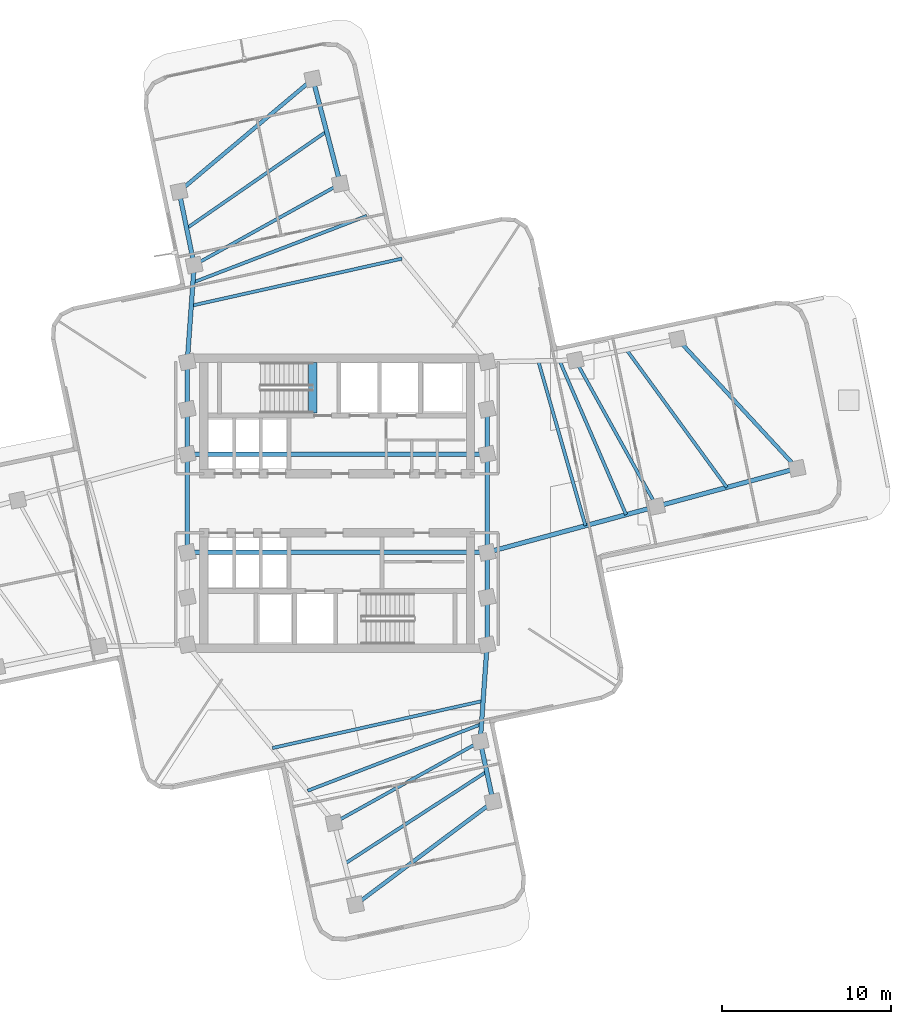
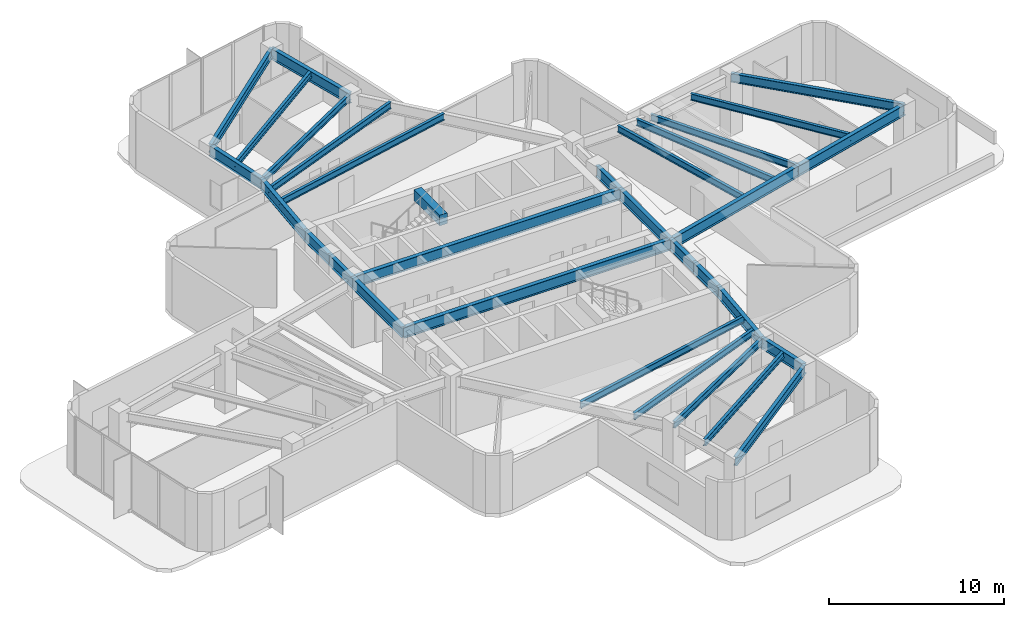
# One storey, part 3 of 12: 32 beams.
"""IFC4 building model written with IfcOpenShell, lengths in metres."""

from ifc_helpers import new_model, si_unit, direction, frame, origin, origin_2d, place, context, subcontext, project, spatial, rectangle, i_section, extrude, material, material_profile, profile_set, type_object, element, save


model = new_model("IFC4")

# Units and contexts
model_context = context("Model", 3, precision=1e-05, world=origin(), true_north=direction((0.0, 1.0)))
body_context = subcontext(model_context, "Body", "Model", "MODEL_VIEW")
ifc_project = project(units=[si_unit("LENGTHUNIT", "METRE"), si_unit("AREAUNIT", "SQUARE_METRE"), si_unit("VOLUMEUNIT", "CUBIC_METRE"), si_unit("PLANEANGLEUNIT", "RADIAN"), si_unit("MASSUNIT", "GRAM", prefix="KILO")], contexts=[model_context])

# Site, building, storey
site_placement = place(None, origin())
site = spatial("IfcSite", under=ifc_project, at=site_placement, CompositionType="ELEMENT")
building_placement = place(site_placement, origin())
building = spatial("IfcBuilding", under=site, at=building_placement, Name="Solmarez Civic Tower", CompositionType="ELEMENT")
storey_placement = place(building_placement, frame((0.0, 0.0, 111.9599609375)))
storey = spatial("IfcBuildingStorey", under=building, at=storey_placement, Name="L29", CompositionType="ELEMENT", Elevation=111.9599609375)

# Beams
ifc_material_1 = material(Name="Steel S355", Category="steel")
ifc_material_profile_1 = material_profile(ifc_material_1, i_section(OverallWidth=0.19189453125, OverallDepth=0.462890625, WebThickness=0.010498046875, FlangeThickness=0.017578125, at=origin_2d()), Name="W18X60")
ifc_profile_set_1 = profile_set([ifc_material_profile_1], Name="Steel S355")
beam_type_1 = type_object("IfcBeamType", Name="BM-JS-W18X60", PredefinedType="JOIST", material=ifc_profile_set_1)
beam_1_placement = place(storey_placement, frame((18.860107421875, -0.18310546875, 3.828125), z_axis=(-0.485852902718, 0.874040592261, 0.0), x_axis=(-0.874040592261, -0.485852902718, 0.0)))
element("IfcBeam", 1, at=beam_1_placement, inside=storey, type_object=beam_type_1, Name="L29 Secondary Floor Joist BM-L29-EA-T1", PredefinedType="JOIST", context=body_context, shape_type="SweptSolid", body=[
    extrude(i_section(OverallWidth=0.19189453125, OverallDepth=0.462890625, WebThickness=0.010498046875, FlangeThickness=0.017578125, at=origin_2d()), origin(), (0.0, 0.0, 1.0), 9.87158203125),
])
beam_2_placement = place(storey_placement, frame((23.006103515625, 0.94091796875, 3.828125), z_axis=(-0.589058914091, 0.808090091345, 0.0), x_axis=(-0.808090091345, -0.589058914091, 0.0)))
element("IfcBeam", 2, at=beam_2_placement, inside=storey, type_object=beam_type_1, Name="L29 Secondary Floor Joist JS-L29-EA-M2", PredefinedType="JOIST", context=body_context, shape_type="SweptSolid", body=[
    extrude(i_section(OverallWidth=0.19189453125, OverallDepth=0.462890625, WebThickness=0.010498046875, FlangeThickness=0.017578125, at=origin_2d()), origin(), (0.0, 0.0, 1.0), 10.05859375),
])
beam_3_placement = place(storey_placement, frame((14.656005859375, -1.323974609375, 3.828125), z_axis=(-0.27492825036, 0.961464745664, 0.0), x_axis=(-0.961464745664, -0.27492825036, 0.0)))
element("IfcBeam", 3, at=beam_3_placement, inside=storey, type_object=beam_type_1, Name="L29 Secondary Floor Joist JS-L29-EA-M11", PredefinedType="JOIST", context=body_context, shape_type="SweptSolid", body=[
    extrude(i_section(OverallWidth=0.19189453125, OverallDepth=0.462890625, WebThickness=0.010498046875, FlangeThickness=0.017578125, at=origin_2d()), origin(), (0.0, 0.0, 1.0), 10.118896484375),
])
beam_4_placement = place(storey_placement, frame((17.05810546875, -0.672119140625, 3.828125), z_axis=(-0.396735074316, 0.917933157048, 0.0), x_axis=(-0.917933157048, -0.396735074316, 0.0)))
element("IfcBeam", 4, at=beam_4_placement, inside=storey, type_object=beam_type_1, Name="L29 Secondary Floor Joist JS-L29-EA-M12", PredefinedType="JOIST", context=body_context, shape_type="SweptSolid", body=[
    extrude(i_section(OverallWidth=0.19189453125, OverallDepth=0.462890625, WebThickness=0.010498046875, FlangeThickness=0.017578125, at=origin_2d()), origin(), (0.0, 0.0, 1.0), 9.91357421875),
])
beam_5_placement = place(storey_placement, frame((0.18310546875, 18.860107421875, 3.828125), z_axis=(-0.874040592261, -0.485852902718, 0.0), x_axis=(0.485852902718, -0.874040592261, 0.0)))
element("IfcBeam", 5, at=beam_5_placement, inside=storey, type_object=beam_type_1, Name="L29 Secondary Floor Joist BM-L29-NA-T1", PredefinedType="JOIST", context=body_context, shape_type="SweptSolid", body=[
    extrude(i_section(OverallWidth=0.19189453125, OverallDepth=0.462890625, WebThickness=0.010498046875, FlangeThickness=0.017578125, at=origin_2d()), origin(), (0.0, 0.0, 1.0), 9.87158203125),
])
beam_6_placement = place(storey_placement, frame((-0.626953125, 21.9560546875, 3.828125), z_axis=(-0.822185194468, -0.56922008573, 0.0), x_axis=(0.56922008573, -0.822185194468, 0.0)))
element("IfcBeam", 6, at=beam_6_placement, inside=storey, type_object=beam_type_1, Name="L29 Secondary Floor Joist JS-L29-NA-M2", PredefinedType="JOIST", context=body_context, shape_type="SweptSolid", body=[
    extrude(i_section(OverallWidth=0.19189453125, OverallDepth=0.462890625, WebThickness=0.010498046875, FlangeThickness=0.017578125, at=origin_2d()), origin(), (0.0, 0.0, 1.0), 10.048828125),
])
beam_7_placement = place(storey_placement, frame((3.822998046875, 14.446044921875, 3.828125), z_axis=(-0.975887310906, -0.218274955988, 0.0), x_axis=(0.218274955988, -0.975887310906, 0.0)))
element("IfcBeam", 7, at=beam_7_placement, inside=storey, type_object=beam_type_1, Name="L29 Secondary Floor Joist JS-L29-NA-M11", PredefinedType="JOIST", context=body_context, shape_type="SweptSolid", body=[
    extrude(i_section(OverallWidth=0.19189453125, OverallDepth=0.462890625, WebThickness=0.010498046875, FlangeThickness=0.017578125, at=origin_2d()), origin(), (0.0, 0.0, 1.0), 12.745361328125),
])
beam_8_placement = place(storey_placement, frame((1.742919921875, 16.968017578125, 3.828125), z_axis=(-0.933754408709, -0.357914381125, 0.0), x_axis=(0.357914381125, -0.933754408709, 0.0)))
element("IfcBeam", 8, at=beam_8_placement, inside=storey, type_object=beam_type_1, Name="L29 Secondary Floor Joist JS-L29-NA-M12", PredefinedType="JOIST", context=body_context, shape_type="SweptSolid", body=[
    extrude(i_section(OverallWidth=0.19189453125, OverallDepth=0.462890625, WebThickness=0.010498046875, FlangeThickness=0.017578125, at=origin_2d()), origin(), (0.0, 0.0, 1.0), 10.989013671875),
])
beam_9_placement = place(storey_placement, frame((-0.18310546875, -18.860107421875, 3.828125), z_axis=(0.874040592261, 0.485852902718, 0.0), x_axis=(-0.485852902718, 0.874040592261, 0.0)))
element("IfcBeam", 9, at=beam_9_placement, inside=storey, type_object=beam_type_1, Name="L29 Secondary Floor Joist BM-L29-SA-T1", PredefinedType="JOIST", context=body_context, shape_type="SweptSolid", body=[
    extrude(i_section(OverallWidth=0.19189453125, OverallDepth=0.462890625, WebThickness=0.010498046875, FlangeThickness=0.017578125, at=origin_2d()), origin(), (0.0, 0.0, 1.0), 9.87158203125),
])
beam_10_placement = place(storey_placement, frame((0.449951171875, -21.279052734375, 3.828125), z_axis=(0.83864684805, 0.54467555871, 0.0), x_axis=(-0.54467555871, 0.83864684805, 0.0)))
element("IfcBeam", 10, at=beam_10_placement, inside=storey, type_object=beam_type_1, Name="L29 Secondary Floor Joist JS-L29-SA-M2", PredefinedType="JOIST", context=body_context, shape_type="SweptSolid", body=[
    extrude(i_section(OverallWidth=0.19189453125, OverallDepth=0.462890625, WebThickness=0.010498046875, FlangeThickness=0.017578125, at=origin_2d()), origin(), (0.0, 0.0, 1.0), 9.987548828125),
])
beam_11_placement = place(storey_placement, frame((-3.822998046875, -14.446044921875, 3.828125), z_axis=(0.975887310906, 0.218274955988, 0.0), x_axis=(-0.218274955988, 0.975887310906, 0.0)))
element("IfcBeam", 11, at=beam_11_placement, inside=storey, type_object=beam_type_1, Name="L29 Secondary Floor Joist JS-L29-SA-M11", PredefinedType="JOIST", context=body_context, shape_type="SweptSolid", body=[
    extrude(i_section(OverallWidth=0.19189453125, OverallDepth=0.462890625, WebThickness=0.010498046875, FlangeThickness=0.017578125, at=origin_2d()), origin(), (0.0, 0.0, 1.0), 12.745361328125),
])
beam_12_placement = place(storey_placement, frame((-1.742919921875, -16.968017578125, 3.828125), z_axis=(0.933754408709, 0.357914381125, 0.0), x_axis=(-0.357914381125, 0.933754408709, 0.0)))
element("IfcBeam", 12, at=beam_12_placement, inside=storey, type_object=beam_type_1, Name="L29 Secondary Floor Joist JS-L29-SA-M12", PredefinedType="JOIST", context=body_context, shape_type="SweptSolid", body=[
    extrude(i_section(OverallWidth=0.19189453125, OverallDepth=0.462890625, WebThickness=0.010498046875, FlangeThickness=0.017578125, at=origin_2d()), origin(), (0.0, 0.0, 1.0), 10.989013671875),
])
ifc_material_2 = material(Name="Concrete C50/60", Category="concrete")
ifc_material_profile_2 = material_profile(ifc_material_2, rectangle(XDim=0.5, YDim=0.75, at=origin_2d()), Name="RC500X750")
ifc_profile_set_2 = profile_set([ifc_material_profile_2], Name="Concrete C50/60")
beam_type_2 = type_object("IfcBeamType", Name="BM-PR-RC500X750", PredefinedType="BEAM", material=ifc_profile_set_2)
beam_13_placement = place(storey_placement, frame((-1.449951171875, 5.340087890625, 3.953125), z_axis=(0.0, 1.0, 0.0), x_axis=(-1.0, 0.0, 0.0)))
element("IfcBeam", 13, at=beam_13_placement, inside=storey, type_object=beam_type_2, Name="L29 North Stair Threshold Beam", PredefinedType="BEAM", context=body_context, shape_type="SweptSolid", body=[
    extrude(rectangle(XDim=0.5, YDim=0.75, at=origin_2d()), origin(), (0.0, 0.0, 1.0), 2.9599609375),
])
ifc_material_profile_3 = material_profile(ifc_material_1, i_section(OverallWidth=0.26708984375, OverallDepth=0.761962890625, WebThickness=0.014404296875, FlangeThickness=0.021484375, at=origin_2d()), Name="W30X116")
ifc_profile_set_3 = profile_set([ifc_material_profile_3], Name="Steel S355")
beam_type_3 = type_object("IfcBeamType", Name="BM-PR-W30X116", PredefinedType="BEAM", material=ifc_profile_set_3)
beam_14_placement = place(storey_placement, frame((-8.85009765625, -2.89990234375, 3.678955078125), z_axis=(0.0, 1.0, 0.0), x_axis=(-1.0, 0.0, 0.0)))
element("IfcBeam", 14, at=beam_14_placement, inside=storey, type_object=beam_type_3, Name="L29 Primary Floor Beam BM-L29-HC2-HC3", PredefinedType="BEAM", context=body_context, shape_type="SweptSolid", body=[
    extrude(i_section(OverallWidth=0.26708984375, OverallDepth=0.761962890625, WebThickness=0.014404296875, FlangeThickness=0.021484375, at=origin_2d()), origin(), (0.0, 0.0, 1.0), 5.7998046875),
])
beam_15_placement = place(storey_placement, frame((-8.85009765625, 2.89990234375, 3.678955078125), z_axis=(0.0, 1.0, 0.0), x_axis=(-1.0, 0.0, 0.0)))
element("IfcBeam", 15, at=beam_15_placement, inside=storey, type_object=beam_type_3, Name="L29 Primary Floor Beam BM-L29-HC3-HC4", PredefinedType="BEAM", context=body_context, shape_type="SweptSolid", body=[
    extrude(i_section(OverallWidth=0.26708984375, OverallDepth=0.761962890625, WebThickness=0.014404296875, FlangeThickness=0.021484375, at=origin_2d()), origin(), (0.0, 0.0, 1.0), 2.650146484375),
])
for number, where, z_axis, x_axis, name in (
    (16, (-8.85009765625, 5.550048828125, 3.678955078125), (0.0, 1.0, 0.0), (-1.0, 0.0, 0.0), "L29 Primary Floor Beam BM-L29-HC4-HC9"),
    (17, (8.85009765625, -8.35009765625, 3.678955078125), (0.0, 1.0, 0.0), (-1.0, 0.0, 0.0), "L29 Primary Floor Beam BM-L29-HC10-HC5"),
):
    element("IfcBeam", number, at=place(storey_placement, frame(where, z_axis=z_axis, x_axis=x_axis)), inside=storey, type_object=beam_type_3, Name=name, PredefinedType="BEAM", context=body_context, shape_type="SweptSolid", body=[
        extrude(i_section(OverallWidth=0.26708984375, OverallDepth=0.761962890625, WebThickness=0.014404296875, FlangeThickness=0.021484375, at=origin_2d()), origin(), (0.0, 0.0, 1.0), 2.800048828125),
    ])
beam_16_placement = place(storey_placement, frame((8.85009765625, -5.550048828125, 3.678955078125), z_axis=(0.0, 1.0, 0.0), x_axis=(-1.0, 0.0, 0.0)))
element("IfcBeam", 18, at=beam_16_placement, inside=storey, type_object=beam_type_3, Name="L29 Primary Floor Beam BM-L29-HC5-HC6", PredefinedType="BEAM", context=body_context, shape_type="SweptSolid", body=[
    extrude(i_section(OverallWidth=0.26708984375, OverallDepth=0.761962890625, WebThickness=0.014404296875, FlangeThickness=0.021484375, at=origin_2d()), origin(), (0.0, 0.0, 1.0), 2.650146484375),
])
beam_17_placement = place(storey_placement, frame((8.85009765625, -2.89990234375, 3.678955078125), z_axis=(0.0, 1.0, 0.0), x_axis=(-1.0, 0.0, 0.0)))
element("IfcBeam", 19, at=beam_17_placement, inside=storey, type_object=beam_type_3, Name="L29 Primary Floor Beam BM-L29-HC6-HC7", PredefinedType="BEAM", context=body_context, shape_type="SweptSolid", body=[
    extrude(i_section(OverallWidth=0.26708984375, OverallDepth=0.761962890625, WebThickness=0.014404296875, FlangeThickness=0.021484375, at=origin_2d()), origin(), (0.0, 0.0, 1.0), 5.7998046875),
])
beam_18_placement = place(storey_placement, frame((8.85009765625, 2.89990234375, 3.678955078125), z_axis=(0.0, 1.0, 0.0), x_axis=(-1.0, 0.0, 0.0)))
element("IfcBeam", 20, at=beam_18_placement, inside=storey, type_object=beam_type_3, Name="L29 Primary Floor Beam BM-L29-HC7-HC8", PredefinedType="BEAM", context=body_context, shape_type="SweptSolid", body=[
    extrude(i_section(OverallWidth=0.26708984375, OverallDepth=0.761962890625, WebThickness=0.014404296875, FlangeThickness=0.021484375, at=origin_2d()), origin(), (0.0, 0.0, 1.0), 2.650146484375),
])
for number, where, z_axis, x_axis, name in (
    (21, (-8.85009765625, -2.89990234375, 3.678955078125), (1.0, 0.0, 0.0), (0.0, 1.0, 0.0), "L29 Primary Floor Beam BM-L29-HC2-HC6"),
    (22, (-8.85009765625, 2.89990234375, 3.678955078125), (1.0, 0.0, 0.0), (0.0, 1.0, 0.0), "L29 Primary Floor Beam BM-L29-HC3-HC7"),
):
    element("IfcBeam", number, at=place(storey_placement, frame(where, z_axis=z_axis, x_axis=x_axis)), inside=storey, type_object=beam_type_3, Name=name, PredefinedType="BEAM", context=body_context, shape_type="SweptSolid", body=[
        extrude(i_section(OverallWidth=0.26708984375, OverallDepth=0.761962890625, WebThickness=0.014404296875, FlangeThickness=0.021484375, at=origin_2d()), origin(), (0.0, 0.0, 1.0), 17.7001953125),
    ])
beam_19_placement = place(storey_placement, frame((8.85009765625, -2.89990234375, 3.678955078125), z_axis=(0.965086289853, 0.261932153691, 0.0), x_axis=(-0.261932153691, 0.965086289853, 0.0)))
element("IfcBeam", 23, at=beam_19_placement, inside=storey, type_object=beam_type_3, Name="L29 Primary Floor Beam BM-L29-EA-R1A", PredefinedType="BEAM", context=body_context, shape_type="SweptSolid", body=[
    extrude(i_section(OverallWidth=0.26708984375, OverallDepth=0.761962890625, WebThickness=0.014404296875, FlangeThickness=0.021484375, at=origin_2d()), origin(), (0.0, 0.0, 1.0), 10.3720703125),
])
beam_20_placement = place(storey_placement, frame((18.860107421875, -0.18310546875, 3.678955078125), z_axis=(0.965195296066, 0.261530190326, 0.0), x_axis=(-0.261530190326, 0.965195296066, 0.0)))
element("IfcBeam", 24, at=beam_20_placement, inside=storey, type_object=beam_type_3, Name="L29 Primary Floor Beam BM-L29-EA-R2A", PredefinedType="BEAM", context=body_context, shape_type="SweptSolid", body=[
    extrude(i_section(OverallWidth=0.26708984375, OverallDepth=0.761962890625, WebThickness=0.014404296875, FlangeThickness=0.021484375, at=origin_2d()), origin(), (0.0, 0.0, 1.0), 8.592041015625),
])
beam_21_placement = place(storey_placement, frame((-8.85009765625, 8.35009765625, 3.678955078125), z_axis=(0.070707897353, 0.997497064282, 0.0), x_axis=(-0.997497064282, 0.070707897353, 0.0)))
element("IfcBeam", 25, at=beam_21_placement, inside=storey, type_object=beam_type_3, Name="L29 Primary Floor Beam BM-L29-NA-R1B", PredefinedType="BEAM", context=body_context, shape_type="SweptSolid", body=[
    extrude(i_section(OverallWidth=0.26708984375, OverallDepth=0.761962890625, WebThickness=0.014404296875, FlangeThickness=0.021484375, at=origin_2d()), origin(), (0.0, 0.0, 1.0), 5.728271484375),
])
beam_22_placement = place(storey_placement, frame((0.18310546875, 18.860107421875, 3.678955078125), z_axis=(-0.25312990791, 0.967432297229, 0.0), x_axis=(-0.967432297229, -0.25312990791, 0.0)))
element("IfcBeam", 26, at=beam_22_placement, inside=storey, type_object=beam_type_3, Name="L29 Primary Floor Beam BM-L29-NA-R2A", PredefinedType="BEAM", context=body_context, shape_type="SweptSolid", body=[
    extrude(i_section(OverallWidth=0.26708984375, OverallDepth=0.761962890625, WebThickness=0.014404296875, FlangeThickness=0.021484375, at=origin_2d()), origin(), (0.0, 0.0, 1.0), 6.400390625),
])
beam_23_placement = place(storey_placement, frame((-8.445068359375, 14.06396484375, 3.678955078125), z_axis=(-0.200222099018, 0.979750535118, 0.0), x_axis=(-0.979750535118, -0.200222099018, 0.0)))
element("IfcBeam", 27, at=beam_23_placement, inside=storey, type_object=beam_type_3, Name="L29 Primary Floor Beam BM-L29-NA-R2B", PredefinedType="BEAM", context=body_context, shape_type="SweptSolid", body=[
    extrude(i_section(OverallWidth=0.26708984375, OverallDepth=0.761962890625, WebThickness=0.014404296875, FlangeThickness=0.021484375, at=origin_2d()), origin(), (0.0, 0.0, 1.0), 4.434814453125),
])
beam_24_placement = place(storey_placement, frame((8.85009765625, -8.35009765625, 3.678955078125), z_axis=(-0.070707897353, -0.997497064282, 0.0), x_axis=(0.997497064282, -0.070707897353, 0.0)))
element("IfcBeam", 28, at=beam_24_placement, inside=storey, type_object=beam_type_3, Name="L29 Primary Floor Beam BM-L29-SA-R1B", PredefinedType="BEAM", context=body_context, shape_type="SweptSolid", body=[
    extrude(i_section(OverallWidth=0.26708984375, OverallDepth=0.761962890625, WebThickness=0.014404296875, FlangeThickness=0.021484375, at=origin_2d()), origin(), (0.0, 0.0, 1.0), 5.728271484375),
])
beam_25_placement = place(storey_placement, frame((8.445068359375, -14.06396484375, 3.678955078125), z_axis=(0.210056967216, -0.977689148208, 0.0), x_axis=(0.977689148208, 0.210056967216, 0.0)))
element("IfcBeam", 29, at=beam_25_placement, inside=storey, type_object=beam_type_3, Name="L29 Primary Floor Beam BM-L29-SA-R2B", PredefinedType="BEAM", context=body_context, shape_type="SweptSolid", body=[
    extrude(i_section(OverallWidth=0.26708984375, OverallDepth=0.761962890625, WebThickness=0.014404296875, FlangeThickness=0.021484375, at=origin_2d()), origin(), (0.0, 0.0, 1.0), 3.632080078125),
])
ifc_material_profile_4 = material_profile(ifc_material_1, i_section(OverallWidth=0.22900390625, OverallDepth=0.612060546875, WebThickness=0.011962890625, FlangeThickness=0.01953125, at=origin_2d()), Name="W24X84")
ifc_profile_set_4 = profile_set([ifc_material_profile_4], Name="Steel S355")
beam_type_4 = type_object("IfcBeamType", Name="BM-SP-W24X84", PredefinedType="SPANDREL", material=ifc_profile_set_4)
beam_26_placement = place(storey_placement, frame((27.153076171875, 2.06396484375, 3.754150390625), z_axis=(-0.679007792344, 0.734131063187, 0.0), x_axis=(-0.734131063187, -0.679007792344, 0.0)))
element("IfcBeam", 30, at=beam_26_placement, inside=storey, type_object=beam_type_4, Name="L29 Perimeter Spandrel Beam BM-L29-EA-T2", PredefinedType="SPANDREL", context=body_context, shape_type="SweptSolid", body=[
    extrude(i_section(OverallWidth=0.22900390625, OverallDepth=0.612060546875, WebThickness=0.011962890625, FlangeThickness=0.01953125, at=origin_2d()), origin(), (0.0, 0.0, 1.0), 10.390380859375),
])
beam_27_placement = place(storey_placement, frame((-1.43701171875, 25.052001953125, 3.754150390625), z_axis=(-0.765206846446, -0.643784499777, 0.0), x_axis=(0.643784499777, -0.765206846446, 0.0)))
element("IfcBeam", 31, at=beam_27_placement, inside=storey, type_object=beam_type_4, Name="L29 Perimeter Spandrel Beam BM-L29-NA-T2", PredefinedType="SPANDREL", context=body_context, shape_type="SweptSolid", body=[
    extrude(i_section(OverallWidth=0.22900390625, OverallDepth=0.612060546875, WebThickness=0.011962890625, FlangeThickness=0.01953125, at=origin_2d()), origin(), (0.0, 0.0, 1.0), 10.31884765625),
])
beam_28_placement = place(storey_placement, frame((1.0830078125, -23.697021484375, 3.754150390625), z_axis=(0.800553888314, 0.599260771205, 0.0), x_axis=(-0.599260771205, 0.800553888314, 0.0)))
element("IfcBeam", 32, at=beam_28_placement, inside=storey, type_object=beam_type_4, Name="L29 Perimeter Spandrel Beam BM-L29-SA-T2", PredefinedType="SPANDREL", context=body_context, shape_type="SweptSolid", body=[
    extrude(i_section(OverallWidth=0.22900390625, OverallDepth=0.612060546875, WebThickness=0.011962890625, FlangeThickness=0.01953125, at=origin_2d()), origin(), (0.0, 0.0, 1.0), 10.149169921875),
])

save(model, "model.ifc")
